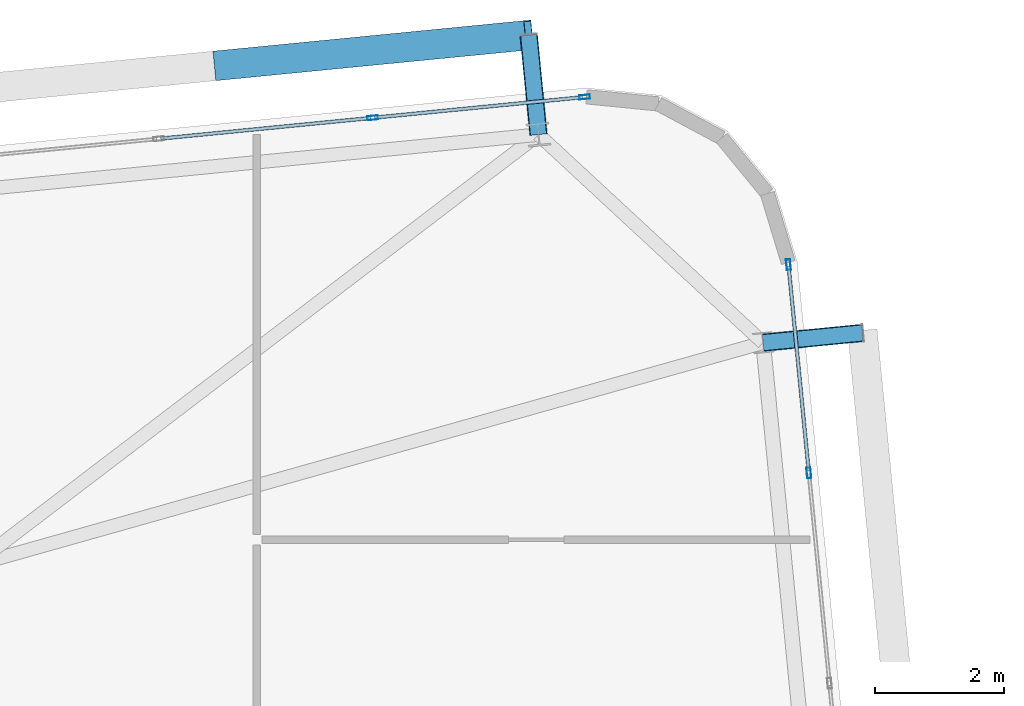
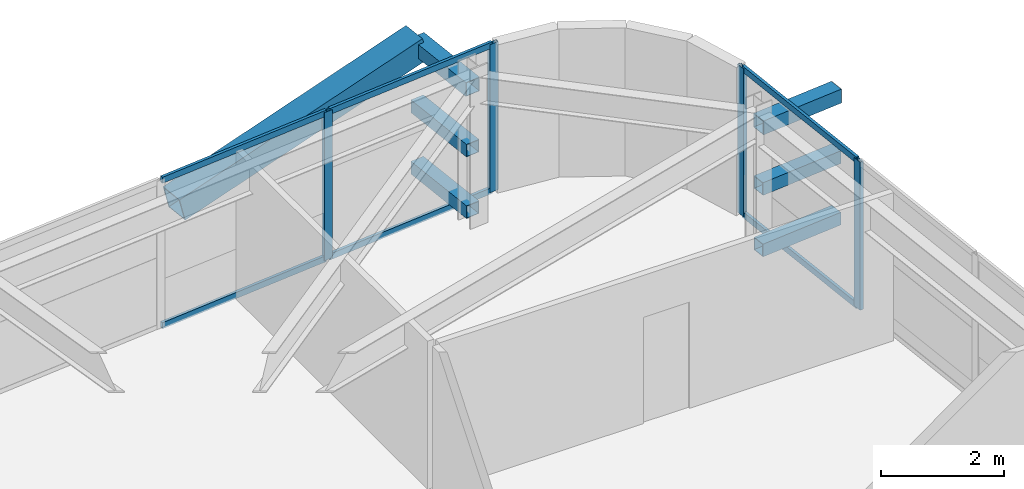
# One storey, part 35 of 53: 17 members, 2 elements without a shape of their own.
"""IFC4 building model written with IfcOpenShell, lengths in metres."""

from ifc_helpers import new_model, si_unit, direction, frame, origin, origin_2d, place, context, subcontext, project, spatial, hollow_rectangle, extrude, source, transform, mapped, material, layer, layer_set, material_profile, profile_set, type_object, element, aggregate, save


model = new_model("IFC4")

# Units and contexts
model_context = context("Model", 3, precision=1e-05, world=origin(), true_north=direction((0.0, 1.0)))
body_context = subcontext(model_context, "Body", "Model", "MODEL_VIEW")
ifc_project = project(units=[si_unit("LENGTHUNIT", "METRE"), si_unit("AREAUNIT", "SQUARE_METRE"), si_unit("VOLUMEUNIT", "CUBIC_METRE"), si_unit("PLANEANGLEUNIT", "RADIAN"), si_unit("MASSUNIT", "GRAM", prefix="KILO")], contexts=[model_context])

# Site, building, storey
site_placement = place(None, origin())
site = spatial("IfcSite", under=ifc_project, at=site_placement, CompositionType="ELEMENT")
building_placement = place(site_placement, origin())
building = spatial("IfcBuilding", under=site, at=building_placement, Name="Taldren Reach Tower", CompositionType="ELEMENT")
storey_placement = place(building_placement, frame((0.0, 0.0, 68.25)))
storey = spatial("IfcBuildingStorey", under=building, at=storey_placement, Name="L20", CompositionType="ELEMENT", Elevation=68.25)

# Members
ifc_material_1 = material(Name="Steel Gr 450 (C450L0)", Category="steel")
ifc_material_profile_1 = material_profile(ifc_material_1, hollow_rectangle(XDim=0.27490234375, YDim=0.27490234375, WallThickness=0.00927734375, at=origin_2d()), Name="275x275x9.3SHS")
ifc_profile_set_1 = profile_set([ifc_material_profile_1], Name="Steel Gr 450 (C450L0)")
member_type_1 = type_object("IfcMemberType", Name="MB-TIE273", PredefinedType="STRUT", material=ifc_profile_set_1)
shared_shape_1 = source(origin(), body_context, "Body", "SweptSolid", [
    extrude(hollow_rectangle(XDim=0.27490234375, YDim=0.27490234375, WallThickness=0.00927734375, at=origin_2d()), origin(), (0.0, 0.0, 1.0), 1.5498046875),
])
for number, where, z_axis, x_axis, name in (
    (1, (59.765869140625, 38.679931640625, 2.64990234375), (-0.097663201064, 0.995219523099, 0.0), (-0.995219523099, -0.097663201064, 0.0), "Exoskeleton diaphragm tie strut B2-N6 L20"),
    (2, (63.247314453125, 35.454345703125, 2.64990234375), (0.995234821595, 0.097507178627, 0.0), (-0.097507178627, 0.995234821595, 0.0), "Exoskeleton diaphragm tie strut B2-E3 L20"),
):
    element("IfcMember", number, at=place(storey_placement, frame(where, z_axis=z_axis, x_axis=x_axis)), inside=storey, type_object=member_type_1, Name=name, PredefinedType="STRUT", context=body_context, shape_type="MappedRepresentation", body=[
        mapped(shared_shape_1, transform((0.0, 0.0, 0.0), scale=1.0)),
    ])
ifc_material_2 = material(Name="Steel Gr 350 (C350L0)", Category="steel")
ifc_material_profile_2 = material_profile(ifc_material_2, hollow_rectangle(XDim=0.25, YDim=0.25, WallThickness=0.010009765625, at=origin_2d()), Name="250x250x10.0SHS")
ifc_profile_set_2 = profile_set([ifc_material_profile_2], Name="Steel Gr 350 (C350L0)")
member_type_2 = type_object("IfcMemberType", Name="MB-POST250", PredefinedType="POST", material=ifc_profile_set_2)
shared_shape_2 = source(origin(), body_context, "Body", "SweptSolid", [
    extrude(hollow_rectangle(XDim=0.25, YDim=0.25, WallThickness=0.010009765625, at=origin_2d()), origin(), (0.0, 0.0, 1.0), 1.5498046875),
])
for number, where, z_axis, x_axis, name in (
    (3, (59.765869140625, 38.679931640625, 0.219970703125), (-0.097663201064, 0.995219523099, 0.0), (-0.995219523099, -0.097663201064, 0.0), "Exoskeleton base diaphragm tie strut B2-N6 L20"),
    (4, (63.247314453125, 35.454345703125, 0.219970703125), (0.995234821595, 0.097507178627, 0.0), (-0.097507178627, 0.995234821595, 0.0), "Exoskeleton base diaphragm tie strut B2-E3 L20"),
    (5, (59.765869140625, 38.679931640625, 1.43505859375), (-0.097663201064, 0.995219523099, 0.0), (-0.995219523099, -0.097663201064, 0.0), "Exoskeleton mid-tier diaphragm tie B2-N6 L20"),
    (6, (63.247314453125, 35.454345703125, 1.43505859375), (0.995234821595, 0.097507178627, 0.0), (-0.097507178627, 0.995234821595, 0.0), "Exoskeleton mid-tier diaphragm tie B2-E3 L20"),
):
    element("IfcMember", number, at=place(storey_placement, frame(where, z_axis=z_axis, x_axis=x_axis)), inside=storey, type_object=member_type_2, Name=name, PredefinedType="POST", context=body_context, shape_type="MappedRepresentation", body=[
        mapped(shared_shape_2, transform((0.0, 0.0, 0.0), scale=1.0)),
    ])
ifc_material_profile_3 = material_profile(ifc_material_1, hollow_rectangle(XDim=0.4599609375, YDim=0.4599609375, WallThickness=0.01611328125, at=origin_2d()), Name="460x460x16.0SHS")
ifc_profile_set_3 = profile_set([ifc_material_profile_3], Name="Steel Gr 450 (C450L0)")
member_type_3 = type_object("IfcMemberType", Name="MB-EXO457", PredefinedType="BRACE", material=ifc_profile_set_3)
shared_shape_3 = source(origin(), body_context, "Body", "SweptSolid", [
    extrude(hollow_rectangle(XDim=0.4599609375, YDim=0.4599609375, WallThickness=0.01611328125, at=origin_2d()), origin(), (0.0, 0.0, 1.0), 4.990234375),
])
member_1_placement = place(storey_placement, frame((54.797607421875, 39.750244140625, 1.43505859375), z_axis=(0.965287024526, 0.094620633828, 0.24344998652), x_axis=(-0.097555749586, 0.995230061706, 0.0)))
element("IfcMember", 7, at=member_1_placement, inside=storey, type_object=member_type_3, Name="Exoskeleton Diagrid Brace B2-N5 L20", PredefinedType="BRACE", context=body_context, shape_type="MappedRepresentation", body=[
    mapped(shared_shape_3, transform((0.0, 0.0, 0.0), scale=1.0)),
])

# Curtain wall, members
ifc_material_3 = material(Name="Aluminium and Low-E Glass Unitised System", Category="aluminium")
ifc_layer = layer(ifc_material_3, 0.159912109375)
ifc_layer_set = layer_set([ifc_layer], Name="Aluminium and Low-E Glass Unitised System")
curtain_wall_type = type_object("IfcCurtainWallType", Name="CW-SYS-3", PredefinedType="NOTDEFINED", material=ifc_layer_set)
curtain_wall_1_placement = place(storey_placement, origin())
curtain_wall_1 = element("IfcCurtainWall", 8, at=curtain_wall_1_placement, inside=storey, type_object=curtain_wall_type, Name="Unitised curtain wall CW-L20-N", PredefinedType="NOTDEFINED")
ifc_material_4 = material(Name="Anodised Aluminium 6063-T6", Category="aluminium")
ifc_material_profile_4 = material_profile(ifc_material_4, hollow_rectangle(XDim=0.06494140625, YDim=0.1650390625, WallThickness=0.00390625, at=origin_2d()), Name="ALU-165x65x4RHS")
ifc_profile_set_4 = profile_set([ifc_material_profile_4], Name="Anodised Aluminium 6063-T6")
member_type_4 = type_object("IfcMemberType", Name="CW-MUL-165", PredefinedType="MULLION", material=ifc_profile_set_4)
shared_shape_4 = source(origin(), body_context, "Body", "SweptSolid", [
    extrude(hollow_rectangle(XDim=0.06494140625, YDim=0.1650390625, WallThickness=0.00390625, at=origin_2d()), origin(), (0.0, 0.0, 1.0), 2.929931640625),
])
member_2_placement = place(storey_placement, frame((60.47998046875, 39.262451171875, 0.0), z_axis=(0.0, 0.0, 1.0), x_axis=(0.097582999046, -0.995227390247, 0.0)))
member_2 = element("IfcMember", 9, at=member_2_placement, type_object=member_type_4, Name="CW-3 mullion 1", PredefinedType="MULLION", context=body_context, shape_type="MappedRepresentation", body=[
    mapped(shared_shape_4, transform((0.0, 0.0, 0.0), scale=1.0)),
])
member_3_placement = place(storey_placement, frame((57.19482421875, 38.940185546875, 0.0), z_axis=(0.0, 0.0, 1.0), x_axis=(0.097582999046, -0.995227390247, 0.0)))
member_3 = element("IfcMember", 10, at=member_3_placement, type_object=member_type_4, Name="CW-3 mullion 2", PredefinedType="MULLION", context=body_context, shape_type="MappedRepresentation", body=[
    mapped(shared_shape_4, transform((0.0, 0.0, 0.0), scale=1.0)),
])

curtain_wall_2_placement = place(storey_placement, origin())
curtain_wall_2 = element("IfcCurtainWall", 11, at=curtain_wall_2_placement, inside=storey, type_object=curtain_wall_type, Name="Unitised curtain wall CW-L20-E", PredefinedType="NOTDEFINED")
member_4_placement = place(storey_placement, frame((63.95751953125, 33.43603515625, 0.0), z_axis=(0.0, 0.0, 1.0), x_axis=(-0.99522741555, -0.09758274098, 0.0)))
member_4 = element("IfcMember", 12, at=member_4_placement, type_object=member_type_4, Name="CW-3 mullion 9", PredefinedType="MULLION", context=body_context, shape_type="MappedRepresentation", body=[
    mapped(shared_shape_4, transform((0.0, 0.0, 0.0), scale=1.0)),
])
member_5_placement = place(storey_placement, frame((63.640869140625, 36.666015625, 0.0), z_axis=(0.0, 0.0, 1.0), x_axis=(-0.99522741555, -0.09758274098, 0.0)))
member_5 = element("IfcMember", 13, at=member_5_placement, type_object=member_type_4, Name="CW-3 mullion 10", PredefinedType="MULLION", context=body_context, shape_type="MappedRepresentation", body=[
    mapped(shared_shape_4, transform((0.0, 0.0, 0.0), scale=1.0)),
])

# Member
ifc_material_profile_5 = material_profile(ifc_material_4, hollow_rectangle(XDim=0.054931640625, YDim=0.1201171875, WallThickness=0.0029296875, at=origin_2d()), Name="ALU-120x55x3RHS")
ifc_profile_set_5 = profile_set([ifc_material_profile_5], Name="Anodised Aluminium 6063-T6")
member_type_5 = type_object("IfcMemberType", Name="CW-TRN-135", PredefinedType="USERDEFINED", material=ifc_profile_set_5)
shared_shape_5 = source(origin(), body_context, "Body", "SweptSolid", [
    extrude(hollow_rectangle(XDim=0.054931640625, YDim=0.1201171875, WallThickness=0.0029296875, at=origin_2d()), origin(), (0.0, 0.0, 1.0), 3.23583984375),
])
member_6_placement = place(storey_placement, frame((60.447509765625, 39.25927734375, 0.027587890625), z_axis=(-0.995222920971, -0.097628569459, 0.0), x_axis=(0.097628569459, -0.995222920971, 0.0)))
member_6 = element("IfcMember", 14, at=member_6_placement, type_object=member_type_5, Name="CW-3 transom 1.1", ObjectType="TRANSOM", PredefinedType="USERDEFINED", context=body_context, shape_type="MappedRepresentation", body=[
    mapped(shared_shape_5, transform((0.0, 0.0, 0.0), scale=1.0)),
])

member_7_placement = place(storey_placement, frame((60.447509765625, 39.25927734375, 2.902587890625), z_axis=(-0.995222920971, -0.097628569459, 0.0), x_axis=(0.097628569459, -0.995222920971, 0.0)))
member_7 = element("IfcMember", 15, at=member_7_placement, type_object=member_type_5, Name="CW-3 transom 1.2", ObjectType="TRANSOM", PredefinedType="USERDEFINED", context=body_context, shape_type="MappedRepresentation", body=[
    mapped(shared_shape_5, transform((0.0, 0.0, 0.0), scale=1.0)),
])

shared_shape_6 = source(origin(), body_context, "Body", "SweptSolid", [
    extrude(hollow_rectangle(XDim=0.054931640625, YDim=0.1201171875, WallThickness=0.0029296875, at=origin_2d()), origin(), (0.0, 0.0, 1.0), 3.2685546875),
])
member_8_placement = place(storey_placement, frame((57.16259765625, 38.93701171875, 0.027587890625), z_axis=(-0.99523051601, -0.097551114824, 0.0), x_axis=(0.097551114824, -0.99523051601, 0.0)))
member_8 = element("IfcMember", 16, at=member_8_placement, type_object=member_type_5, Name="CW-3 transom 2.1", ObjectType="TRANSOM", PredefinedType="USERDEFINED", context=body_context, shape_type="MappedRepresentation", body=[
    mapped(shared_shape_6, transform((0.0, 0.0, 0.0), scale=1.0)),
])

member_9_placement = place(storey_placement, frame((57.16259765625, 38.93701171875, 2.902587890625), z_axis=(-0.99523051601, -0.097551114824, 0.0), x_axis=(0.097551114824, -0.99523051601, 0.0)))
member_9 = element("IfcMember", 17, at=member_9_placement, type_object=member_type_5, Name="CW-3 transom 2.2", ObjectType="TRANSOM", PredefinedType="USERDEFINED", context=body_context, shape_type="MappedRepresentation", body=[
    mapped(shared_shape_6, transform((0.0, 0.0, 0.0), scale=1.0)),
])

aggregate(curtain_wall_1, [member_2, member_3, member_6, member_7, member_8, member_9])

shared_shape_7 = source(origin(), body_context, "Body", "SweptSolid", [
    extrude(hollow_rectangle(XDim=0.054931640625, YDim=0.1201171875, WallThickness=0.0029296875, at=origin_2d()), origin(), (0.0, 0.0, 1.0), 3.18017578125),
])
member_10_placement = place(storey_placement, frame((63.954345703125, 33.468505859375, 0.027587890625), z_axis=(-0.097572914968, 0.995228378949, 0.0), x_axis=(-0.995228378949, -0.097572914968, 0.0)))
member_10 = element("IfcMember", 18, at=member_10_placement, type_object=member_type_5, Name="CW-3 transom 9.1", ObjectType="TRANSOM", PredefinedType="USERDEFINED", context=body_context, shape_type="MappedRepresentation", body=[
    mapped(shared_shape_7, transform((0.0, 0.0, 0.0), scale=1.0)),
])

member_11_placement = place(storey_placement, frame((63.954345703125, 33.468505859375, 2.902587890625), z_axis=(-0.097572914968, 0.995228378949, 0.0), x_axis=(-0.995228378949, -0.097572914968, 0.0)))
member_11 = element("IfcMember", 19, at=member_11_placement, type_object=member_type_5, Name="CW-3 transom 9.2", ObjectType="TRANSOM", PredefinedType="USERDEFINED", context=body_context, shape_type="MappedRepresentation", body=[
    mapped(shared_shape_7, transform((0.0, 0.0, 0.0), scale=1.0)),
])

aggregate(curtain_wall_2, [member_4, member_5, member_10, member_11])

save(model, "model.ifc")
